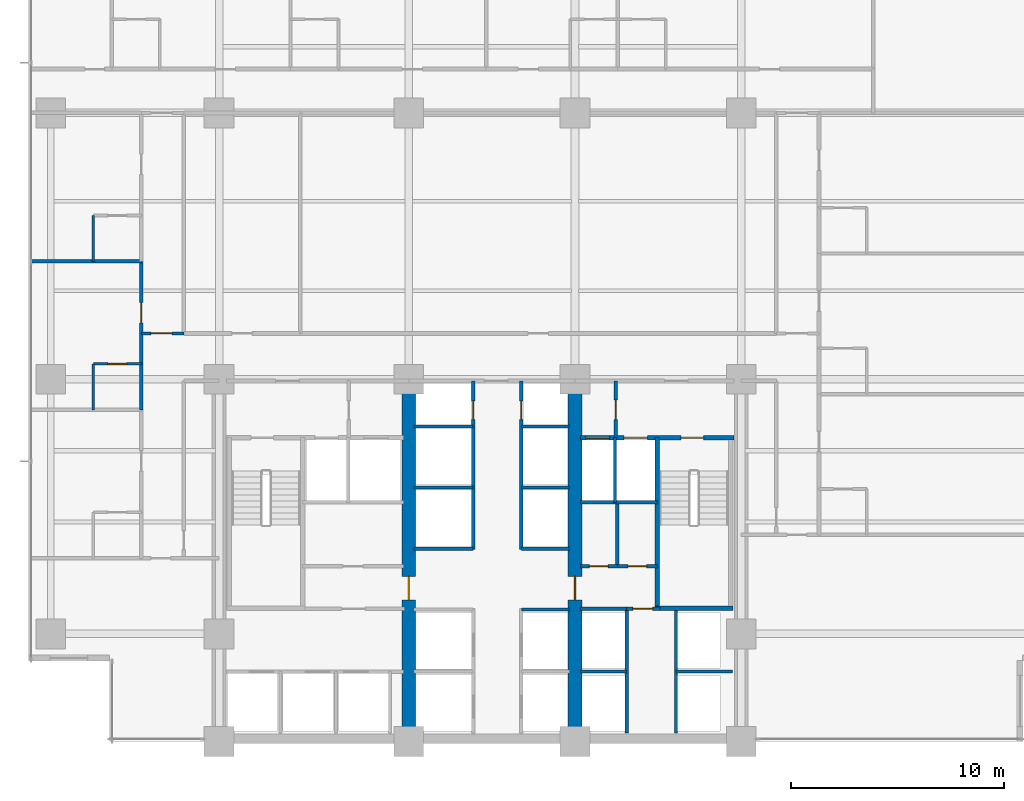
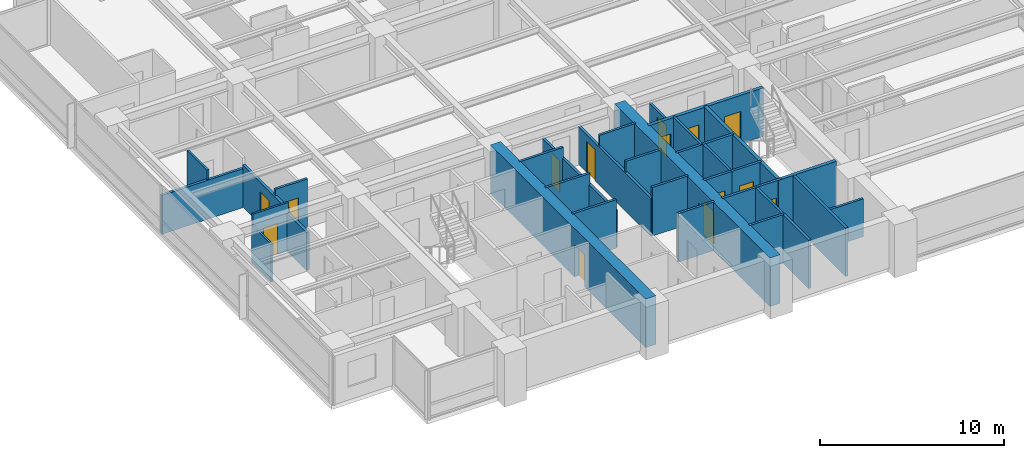
# One storey, part 8 of 16: 33 walls, 14 doors, 14 openings.
"""IFC4 building model written with IfcOpenShell, lengths in metres."""

import ifcopenshell
import ifcopenshell.guid

model = None  # the IFC model being written
_history = None  # IfcOwnerHistory: only IFC2X3 demands one
_inside = {}  # id of a spatial element -> (the spatial element, [elements in it])
_under = {}  # id of a project, library or spatial element -> (it, [spatial elements below it])
_declared = {}  # id of a project -> (the project, [libraries it declares])
_typed = {}  # id of a type object -> (the type object, [elements of that type])
_made_of = {}  # id of a material, layer set ... -> (it, [elements and type objects made of it])


def new_model(schema):
    """Start an empty IFC model of exactly this schema.

    Asked for "IFC4X3", IfcOpenShell would pick the latest addendum, in which some entities
    have other attributes; the version numbers below select the first issue.
    IFC2X3 requires an IfcOwnerHistory on every rooted entity: one is made here for all.
    """
    global model, _history
    if schema == "IFC4X3":
        model = ifcopenshell.file(schema_version=(4, 3, 0, 0))
    else:
        model = ifcopenshell.file(schema=schema)
    _inside.clear()
    _under.clear()
    _declared.clear()
    _typed.clear()
    _made_of.clear()
    _history = None
    if model.schema == "IFC2X3":
        org = make("IfcOrganization", Name="unknown")
        user = make(
            "IfcPersonAndOrganization",
            ThePerson=make("IfcPerson", FamilyName="unknown"),
            TheOrganization=org,
        )
        app = make(
            "IfcApplication",
            ApplicationDeveloper=org,
            Version="unknown",
            ApplicationFullName="unknown",
            ApplicationIdentifier="unknown",
        )
        _history = make(
            "IfcOwnerHistory",
            OwningUser=user,
            OwningApplication=app,
            ChangeAction="ADDED",
            CreationDate=0,
        )
    return model


def make(cls, **values):
    """One entity of the class cls with the attributes given. An attribute that is None is left unset."""
    return model.create_entity(
        cls, **{name: value for name, value in values.items() if value is not None}
    )


def rooted(cls, **values):
    """An entity with a GlobalId (a new one), such as an element, a storey or a relation."""
    return make(cls, GlobalId=ifcopenshell.guid.new(), OwnerHistory=_history, **values)


def si_unit(unit_type, name, prefix=None):
    """IfcSIUnit, for example si_unit("LENGTHUNIT", "METRE", prefix="MILLI")."""
    return make("IfcSIUnit", UnitType=unit_type, Prefix=prefix, Name=name)


def assignment(units):
    """IfcUnitAssignment: the units of a project."""
    return None if units is None else make("IfcUnitAssignment", Units=units)


def point(xyz):
    """IfcCartesianPoint."""
    return None if xyz is None else make("IfcCartesianPoint", Coordinates=xyz)


def direction(xyz):
    """IfcDirection."""
    return None if xyz is None else make("IfcDirection", DirectionRatios=xyz)


def frame(location, z_axis=None, x_axis=None):
    """IfcAxis2Placement3D, a coordinate frame: its origin and axes. An axis left out is left unset."""
    return make(
        "IfcAxis2Placement3D",
        Location=point(location),
        Axis=direction(z_axis),
        RefDirection=direction(x_axis),
    )


def frame_2d(location, x_axis=None):
    """IfcAxis2Placement2D, a coordinate frame in the plane: its origin and x axis."""
    return make(
        "IfcAxis2Placement2D", Location=point(location), RefDirection=direction(x_axis)
    )


def origin():
    """The frame at (0, 0, 0) with its axes left unset."""
    return frame((0.0, 0.0, 0.0))


def place(relative_to, where):
    """IfcLocalPlacement: puts the frame where relative to a parent placement (None: the world)."""
    return make(
        "IfcLocalPlacement", PlacementRelTo=relative_to, RelativePlacement=where
    )


def context(
    kind, dimensions, precision=None, world=None, true_north=None, identifier=None
):
    """IfcGeometricRepresentationContext, for example the 3D "Model" context."""
    return make(
        "IfcGeometricRepresentationContext",
        ContextIdentifier=identifier,
        ContextType=kind,
        CoordinateSpaceDimension=dimensions,
        Precision=precision,
        WorldCoordinateSystem=world,
        TrueNorth=true_north,
    )


def subcontext(parent, identifier, kind, view, scale=None):
    """IfcGeometricRepresentationSubContext, for example "Body" below "Model"."""
    return make(
        "IfcGeometricRepresentationSubContext",
        ContextIdentifier=identifier,
        ContextType=kind,
        ParentContext=parent,
        TargetScale=scale,
        TargetView=view,
    )


def project(units=None, contexts=None):
    """IfcProject with its units and contexts."""
    return rooted(
        "IfcProject",
        Name="project",
        RepresentationContexts=contexts,
        UnitsInContext=assignment(units),
    )


def spatial(cls, under=None, at=None, **own):
    """A site, building, storey or space (cls), placed at a placement, below another one or the project."""
    s = rooted(cls, ObjectPlacement=at, **own)
    if under is not None:
        _under.setdefault(under.id(), (under, []))[1].append(s)
    return s


def profile(cls, at=None, kind="AREA", **sizes):
    """A parametric profile (cls). Its sizes go by their IFC names, for example OverallWidth=200.0."""
    return make(cls, ProfileType=kind, Position=at, **sizes)


def rectangle(**sizes):
    """IfcRectangleProfileDef."""
    return profile("IfcRectangleProfileDef", **sizes)


def extrude(swept, where, along, depth):
    """IfcExtrudedAreaSolid: the profile swept, set in the frame where, extruded along a direction by depth."""
    return make(
        "IfcExtrudedAreaSolid",
        SweptArea=swept,
        Position=where,
        ExtrudedDirection=direction(along),
        Depth=depth,
    )


def shape(context_of_items, identifier, shape_type, items):
    """IfcShapeRepresentation: the items that make up one representation, for example the "Body"."""
    return make(
        "IfcShapeRepresentation",
        ContextOfItems=context_of_items,
        RepresentationIdentifier=identifier,
        RepresentationType=shape_type,
        Items=items,
    )


def material(Name=None, Category=None):
    """IfcMaterial."""
    return make("IfcMaterial", Name=Name, Category=Category)


def layer(
    of_material, thickness, ventilated=None, Name=None, Category=None, Priority=None
):
    """IfcMaterialLayer: one layer of a wall or slab, of a material (None: an air gap)."""
    return make(
        "IfcMaterialLayer",
        Material=of_material,
        LayerThickness=thickness,
        IsVentilated=ventilated,
        Name=Name,
        Category=Category,
        Priority=Priority,
    )


def layer_set(layers, Name=None):
    """IfcMaterialLayerSet."""
    return make("IfcMaterialLayerSet", MaterialLayers=layers, LayerSetName=Name)


def made_of(thing, what):
    """Note that an element or type object is made of a material, layer set ...; save() writes the relation."""
    if what is not None:
        _made_of.setdefault(what.id(), (what, []))[1].append(thing)
    return thing


def type_object(cls, material=None, **own):
    """A type object (cls), such as IfcWallType, which elements share."""
    return made_of(rooted(cls, **own), material)


def element(
    cls,
    number,
    at=None,
    inside=None,
    cuts=None,
    type_object=None,
    material=None,
    context=None,
    identifier="Body",
    shape_type=None,
    held_by="IfcProductDefinitionShape",
    body=None,
    shapes=None,
    **own,
):
    """One element of the class cls, such as IfcWall. Its Tag is "e" and its number.

    at: its placement. inside: the storey or other place that contains it. cuts: it is an
    opening in that element (IfcRelVoidsElement). A single representation is given by context,
    identifier, shape_type and body (its items); several are given by shapes. held_by: the class
    of the entity that holds the representations. save() writes the other relations.
    """
    e = rooted(cls, Tag="e%d" % number, ObjectPlacement=at, **own)
    if body is not None:
        shapes = [shape(context, identifier, shape_type, body)]
    if shapes is not None:
        e.Representation = make(held_by, Representations=shapes)
    if inside is not None:
        _inside.setdefault(inside.id(), (inside, []))[1].append(e)
    if cuts is not None:
        rooted(
            "IfcRelVoidsElement", RelatingBuildingElement=cuts, RelatedOpeningElement=e
        )
    if type_object is not None:
        _typed.setdefault(type_object.id(), (type_object, []))[1].append(e)
    return made_of(e, material)


def fill(opening, filler):
    """IfcRelFillsElement: the door or window that sits in an opening."""
    return rooted(
        "IfcRelFillsElement",
        RelatingOpeningElement=opening,
        RelatedBuildingElement=filler,
    )


def aggregate(whole, parts):
    """IfcRelAggregates: a whole, such as a stair, and the parts it consists of."""
    return rooted("IfcRelAggregates", RelatingObject=whole, RelatedObjects=parts)


def save(model, path):
    """Write the relations noted so far, then the file.

    IfcRelAggregates (storeys below a building ...), IfcRelContainedInSpatialStructure (elements
    in a storey), IfcRelDefinesByType, IfcRelAssociatesMaterial and IfcRelDeclares: one each for
    every whole, place, type object, material and project.
    """
    for whole, parts in _under.values():
        aggregate(whole, parts)
    for where, things in _inside.values():
        rooted(
            "IfcRelContainedInSpatialStructure",
            RelatedElements=things,
            RelatingStructure=where,
        )
    for kind, things in _typed.values():
        rooted("IfcRelDefinesByType", RelatedObjects=things, RelatingType=kind)
    for what, things in _made_of.values():
        rooted("IfcRelAssociatesMaterial", RelatedObjects=things, RelatingMaterial=what)
    for by, libraries in _declared.values():
        rooted("IfcRelDeclares", RelatingContext=by, RelatedDefinitions=libraries)
    model.write(path)


model = new_model("IFC4")

# Units and contexts
model_context = context("Model", 3, precision=1e-05, world=origin(), true_north=direction((0.0, 1.0)))
body_context = subcontext(model_context, "Body", "Model", "MODEL_VIEW")
ifc_project = project(units=[si_unit("LENGTHUNIT", "METRE"), si_unit("AREAUNIT", "SQUARE_METRE"), si_unit("VOLUMEUNIT", "CUBIC_METRE"), si_unit("PLANEANGLEUNIT", "RADIAN"), si_unit("MASSUNIT", "GRAM", prefix="KILO")], contexts=[model_context])

# Site, building, storey
site_placement = place(None, origin())
site = spatial("IfcSite", under=ifc_project, at=site_placement, CompositionType="ELEMENT")
building_placement = place(site_placement, origin())
building = spatial("IfcBuilding", under=site, at=building_placement, Name="Qalmaran Belvedere Hotel", CompositionType="ELEMENT")
storey_placement = place(building_placement, frame((0.0, 0.0, 64.89990234375)))
storey = spatial("IfcBuildingStorey", under=building, at=storey_placement, Name="L16", CompositionType="ELEMENT", Elevation=64.89990234375)

# Wall, opening, door
ifc_material_1 = material(Name="Concrete C60/75", Category="concrete")
ifc_layer_1 = layer(ifc_material_1, 0.64990234375, Name="Concrete C60/75")
ifc_layer_set_1 = layer_set([ifc_layer_1], Name="Concrete C60/75")
wall_type_1 = type_object("IfcWallType", Name="WL-CORE-650-C60", PredefinedType="SHEAR", material=ifc_layer_set_1)
wall_1_placement = place(storey_placement, frame((29.199951171875, 3.5, 0.0), z_axis=(0.0, 0.0, 1.0), x_axis=(0.0, 1.0, 0.0)))
wall_1 = element("IfcWall", 1, at=wall_1_placement, inside=storey, type_object=wall_type_1, Name="L16 Core West Spine Shear Wall", PredefinedType="SHEAR", context=body_context, shape_type="SweptSolid", body=[
    extrude(rectangle(XDim=16.89990234375, YDim=0.64990234375, at=frame_2d((8.449951171875, 0.0))), origin(), (0.0, 0.0, 1.0), 3.22021484375),
])
opening_1_placement = place(wall_1_placement, frame((7.75, 0.0, 0.0), z_axis=(0.0, 0.0, 1.0), x_axis=(-1.0, 0.0, 0.0)))
opening_1 = element("IfcOpeningElement", 2, at=opening_1_placement, cuts=wall_1, Name="Opening FD90", PredefinedType="OPENING", context=body_context, shape_type="SweptSolid", body=[
    extrude(rectangle(XDim=1.10009765625, YDim=2.14990234375, at=frame_2d((0.550048828125, 1.074951171875))), frame((0.0, 0.3349609375, 0.0), z_axis=(0.0, -1.0, 0.0), x_axis=(1.0, 0.0, 0.0)), (0.0, 0.0, 1.0), 0.669921875),
])
ifc_material_2 = material(Name="Steel S355JR", Category="steel")
door_type_1 = type_object("IfcDoorType", Name="DR-FD90-1100X2150", OperationType="NOTDEFINED", PredefinedType="DOOR", material=ifc_material_2)
door_1_placement = place(opening_1_placement, origin())
door_1 = element("IfcDoor", 3, at=door_1_placement, inside=storey, type_object=door_type_1, Name="L16 Core West Cross-Lobby Door", OperationType="SINGLE_SWING_RIGHT", OverallHeight=2.14990234375, OverallWidth=1.10009765625, PredefinedType="DOOR", context=body_context, shape_type="SweptSolid", body=[
    extrude(rectangle(XDim=1.10009765625, YDim=2.14990234375, at=frame_2d((0.550048828125, 1.074951171875))), frame((0.0, 0.02490234375, 0.0), z_axis=(0.0, -1.0, 0.0), x_axis=(1.0, 0.0, 0.0)), (0.0, 0.0, 1.0), 0.050048828125),
])
fill(opening_1, door_1)

wall_2_placement = place(storey_placement, frame((37.0, 3.5, 0.0), z_axis=(0.0, 0.0, 1.0), x_axis=(0.0, 1.0, 0.0)))
wall_2 = element("IfcWall", 4, at=wall_2_placement, inside=storey, type_object=wall_type_1, Name="L16 Core East Spine Shear Wall", PredefinedType="SHEAR", context=body_context, shape_type="SweptSolid", body=[
    extrude(rectangle(XDim=16.89990234375, YDim=0.64990234375, at=frame_2d((8.449951171875, 0.0))), origin(), (0.0, 0.0, 1.0), 3.22021484375),
])
opening_2_placement = place(wall_2_placement, frame((6.64990234375, 0.0, 0.0)))
opening_2 = element("IfcOpeningElement", 5, at=opening_2_placement, cuts=wall_2, Name="Opening FD90", PredefinedType="OPENING", context=body_context, shape_type="SweptSolid", body=[
    extrude(rectangle(XDim=1.10009765625, YDim=2.14990234375, at=frame_2d((0.550048828125, 1.074951171875))), frame((0.0, 0.3349609375, 0.0), z_axis=(0.0, -1.0, 0.0), x_axis=(1.0, 0.0, 0.0)), (0.0, 0.0, 1.0), 0.669921875),
])
door_2_placement = place(opening_2_placement, origin())
door_2 = element("IfcDoor", 6, at=door_2_placement, inside=storey, type_object=door_type_1, Name="L16 Core East Cross-Lobby Door", OperationType="SINGLE_SWING_LEFT", OverallHeight=2.14990234375, OverallWidth=1.10009765625, PredefinedType="DOOR", context=body_context, shape_type="SweptSolid", body=[
    extrude(rectangle(XDim=1.10009765625, YDim=2.14990234375, at=frame_2d((0.550048828125, 1.074951171875))), frame((0.0, 0.02490234375, 0.0), z_axis=(0.0, -1.0, 0.0), x_axis=(1.0, 0.0, 0.0)), (0.0, 0.0, 1.0), 0.050048828125),
])
fill(opening_2, door_2)

ifc_material_3 = material(Name="Moisture-Resistant Gypsum")
ifc_layer_2 = layer(ifc_material_3, 0.1201171875, Name="Moisture-Resistant Gypsum")
ifc_layer_set_2 = layer_set([ifc_layer_2], Name="Moisture-Resistant Gypsum")
wall_type_2 = type_object("IfcWallType", Name="WL-INT-120-BATH", PredefinedType="PARTITIONING", material=ifc_layer_set_2)
wall_3_placement = place(storey_placement, frame((14.39990234375, 21.216796875, 0.0), z_axis=(0.0, 0.0, 1.0), x_axis=(1.0, 0.0, 0.0)))
wall_3 = element("IfcWall", 7, at=wall_3_placement, inside=storey, type_object=wall_type_2, Name="L16 Partition WL-L16-WBN01", PredefinedType="PARTITIONING", context=body_context, shape_type="SweptSolid", body=[
    extrude(rectangle(XDim=2.25, YDim=0.1201171875, at=frame_2d((1.125, 0.0))), origin(), (0.0, 0.0, 1.0), 3.22021484375),
])
opening_3_placement = place(wall_3_placement, frame((1.56494140625, 0.0, 0.0), z_axis=(0.0, 0.0, 1.0), x_axis=(-1.0, 0.0, 0.0)))
opening_3 = element("IfcOpeningElement", 8, at=opening_3_placement, cuts=wall_3, Name="Opening D-BATH", PredefinedType="OPENING", context=body_context, shape_type="SweptSolid", body=[
    extrude(rectangle(XDim=0.8798828125, YDim=2.080078125, at=frame_2d((0.43994140625, 1.0400390625))), frame((0.0, 0.070068359375, 0.0), z_axis=(0.0, -1.0, 0.0), x_axis=(1.0, 0.0, 0.0)), (0.0, 0.0, 1.0), 0.14013671875),
])
ifc_material_4 = material(Name="Engineered Oak Veneer")
door_type_2 = type_object("IfcDoorType", Name="DR-INT-BATH-880X2080", OperationType="NOTDEFINED", PredefinedType="DOOR", material=ifc_material_4)
door_3_placement = place(opening_3_placement, origin())
door_3 = element("IfcDoor", 9, at=door_3_placement, inside=storey, type_object=door_type_2, Name="L16 W Ensuite Door 02", OperationType="SINGLE_SWING_RIGHT", OverallHeight=2.080078125, OverallWidth=0.8798828125, PredefinedType="DOOR", context=body_context, shape_type="SweptSolid", body=[
    extrude(rectangle(XDim=0.8798828125, YDim=2.080078125, at=frame_2d((0.43994140625, 1.0400390625))), frame((0.0, 0.02490234375, 0.0), z_axis=(0.0, -1.0, 0.0), x_axis=(1.0, 0.0, 0.0)), (0.0, 0.0, 1.0), 0.050048828125),
])
fill(opening_3, door_3)

# Walls
wall_4_placement = place(storey_placement, frame((14.39990234375, 19.066650390625, 0.0), z_axis=(0.0, 0.0, 1.0), x_axis=(0.0, 1.0, 0.0)))
element("IfcWall", 10, at=wall_4_placement, inside=storey, type_object=wall_type_2, Name="L16 Partition WL-L16-WBS01", PredefinedType="PARTITIONING", context=body_context, shape_type="SweptSolid", body=[
    extrude(rectangle(XDim=2.150146484375, YDim=0.1201171875, at=frame_2d((1.0751953125, 0.0))), origin(), (0.0, 0.0, 1.0), 2.510009765625),
])
wall_5_placement = place(storey_placement, frame((14.39990234375, 26.033203125, 0.0), z_axis=(0.0, 0.0, 1.0), x_axis=(0.0, 1.0, 0.0)))
element("IfcWall", 11, at=wall_5_placement, inside=storey, type_object=wall_type_2, Name="L16 Partition WL-L16-WBS02", PredefinedType="PARTITIONING", context=body_context, shape_type="SweptSolid", body=[
    extrude(rectangle(XDim=2.150146484375, YDim=0.1201171875, at=frame_2d((1.0751953125, 0.0))), origin(), (0.0, 0.0, 1.0), 3.22021484375),
])
ifc_material_5 = material(Name="Gypsum Stud Partition")
ifc_layer_3 = layer(ifc_material_5, 0.14990234375, Name="Gypsum Stud Partition")
ifc_layer_set_3 = layer_set([ifc_layer_3], Name="Gypsum Stud Partition")
wall_type_3 = type_object("IfcWallType", Name="WL-INT-150-EI120", PredefinedType="PARTITIONING", material=ifc_layer_set_3)
wall_6_placement = place(storey_placement, frame((38.8798828125, 14.719970703125, 0.0), z_axis=(0.0, 0.0, 1.0), x_axis=(0.0, 1.0, 0.0)))
element("IfcWall", 12, at=wall_6_placement, inside=storey, type_object=wall_type_3, Name="L16 Partition WL-FF2M-L16", PredefinedType="PARTITIONING", context=body_context, shape_type="SweptSolid", body=[
    extrude(rectangle(XDim=3.0400390625, YDim=0.14990234375, at=frame_2d((1.52001953125, 0.0))), origin(), (0.0, 0.0, 1.0), 3.22021484375),
])
wall_7_placement = place(storey_placement, frame((37.25, 6.780029296875, 0.0), z_axis=(0.0, 0.0, 1.0), x_axis=(1.0, 0.0, 0.0)))
element("IfcWall", 13, at=wall_7_placement, inside=storey, type_object=wall_type_3, Name="L16 Partition WL-PHMW-L16", PredefinedType="PARTITIONING", context=body_context, shape_type="SweptSolid", body=[
    extrude(rectangle(XDim=2.169921875, YDim=0.14990234375, at=frame_2d((1.0849609375, 0.0))), origin(), (0.0, 0.0, 1.0), 3.22021484375),
])
wall_8_placement = place(storey_placement, frame((41.739990234375, 6.780029296875, 0.0), z_axis=(0.0, 0.0, 1.0), x_axis=(1.0, 0.0, 0.0)))
element("IfcWall", 14, at=wall_8_placement, inside=storey, type_object=wall_type_3, Name="L16 Partition WL-PHME-L16", PredefinedType="PARTITIONING", context=body_context, shape_type="SweptSolid", body=[
    extrude(rectangle(XDim=2.659912109375, YDim=0.14990234375, at=frame_2d((1.330078125, 0.0))), origin(), (0.0, 0.0, 1.0), 2.510009765625),
])
wall_9_placement = place(storey_placement, frame((34.47998046875, 9.699951171875, 0.0), z_axis=(0.0, 0.0, 1.0), x_axis=(1.0, 0.0, 0.0)))
element("IfcWall", 15, at=wall_9_placement, inside=storey, type_object=wall_type_3, Name="L16 Partition WL-PLE-L16-97", PredefinedType="PARTITIONING", context=body_context, shape_type="SweptSolid", body=[
    extrude(rectangle(XDim=2.27001953125, YDim=0.14990234375, at=frame_2d((1.135009765625, 0.0))), origin(), (0.0, 0.0, 1.0), 3.22021484375),
])
wall_10_placement = place(storey_placement, frame((29.449951171875, 12.550048828125, 0.0), z_axis=(0.0, 0.0, 1.0), x_axis=(1.0, 0.0, 0.0)))
element("IfcWall", 16, at=wall_10_placement, inside=storey, type_object=wall_type_3, Name="L16 Partition WL-PMW-L16-125", PredefinedType="PARTITIONING", context=body_context, shape_type="SweptSolid", body=[
    extrude(rectangle(XDim=2.77001953125, YDim=0.14990234375, at=frame_2d((1.385009765625, 0.0))), origin(), (0.0, 0.0, 1.0), 3.22021484375),
])
wall_11_placement = place(storey_placement, frame((34.47998046875, 12.550048828125, 0.0), z_axis=(0.0, 0.0, 1.0), x_axis=(1.0, 0.0, 0.0)))
element("IfcWall", 17, at=wall_11_placement, inside=storey, type_object=wall_type_3, Name="L16 Partition WL-PME-L16-125", PredefinedType="PARTITIONING", context=body_context, shape_type="SweptSolid", body=[
    extrude(rectangle(XDim=2.27001953125, YDim=0.14990234375, at=frame_2d((1.135009765625, 0.0))), origin(), (0.0, 0.0, 1.0), 3.22021484375),
])
wall_12_placement = place(storey_placement, frame((29.449951171875, 15.419921875, 0.0), z_axis=(0.0, 0.0, 1.0), x_axis=(1.0, 0.0, 0.0)))
element("IfcWall", 18, at=wall_12_placement, inside=storey, type_object=wall_type_3, Name="L16 Partition WL-PMW-L16-154", PredefinedType="PARTITIONING", context=body_context, shape_type="SweptSolid", body=[
    extrude(rectangle(XDim=2.77001953125, YDim=0.14990234375, at=frame_2d((1.385009765625, 0.0))), origin(), (0.0, 0.0, 1.0), 3.22021484375),
])
wall_13_placement = place(storey_placement, frame((34.47998046875, 15.419921875, 0.0), z_axis=(0.0, 0.0, 1.0), x_axis=(1.0, 0.0, 0.0)))
element("IfcWall", 19, at=wall_13_placement, inside=storey, type_object=wall_type_3, Name="L16 Partition WL-PME-L16-154", PredefinedType="PARTITIONING", context=body_context, shape_type="SweptSolid", body=[
    extrude(rectangle(XDim=2.27001953125, YDim=0.14990234375, at=frame_2d((1.135009765625, 0.0))), origin(), (0.0, 0.0, 1.0), 3.22021484375),
])
wall_14_placement = place(storey_placement, frame((29.449951171875, 18.280029296875, 0.0), z_axis=(0.0, 0.0, 1.0), x_axis=(1.0, 0.0, 0.0)))
element("IfcWall", 20, at=wall_14_placement, inside=storey, type_object=wall_type_3, Name="L16 Partition WL-PMW-L16-182", PredefinedType="PARTITIONING", context=body_context, shape_type="SweptSolid", body=[
    extrude(rectangle(XDim=2.77001953125, YDim=0.14990234375, at=frame_2d((1.385009765625, 0.0))), origin(), (0.0, 0.0, 1.0), 3.22021484375),
])
wall_15_placement = place(storey_placement, frame((34.47998046875, 18.280029296875, 0.0), z_axis=(0.0, 0.0, 1.0), x_axis=(1.0, 0.0, 0.0)))
element("IfcWall", 21, at=wall_15_placement, inside=storey, type_object=wall_type_3, Name="L16 Partition WL-PME-L16-182", PredefinedType="PARTITIONING", context=body_context, shape_type="SweptSolid", body=[
    extrude(rectangle(XDim=2.27001953125, YDim=0.14990234375, at=frame_2d((1.135009765625, 0.0))), origin(), (0.0, 0.0, 1.0), 3.22021484375),
])
ifc_layer_4 = layer(ifc_material_5, 0.14990234375, Name="Gypsum Stud Partition")
ifc_layer_set_4 = layer_set([ifc_layer_4], Name="Gypsum Stud Partition")
wall_type_4 = type_object("IfcWallType", Name="WL-INT-150-EI60", PredefinedType="PARTITIONING", material=ifc_layer_set_4)
wall_16_placement = place(storey_placement, frame((38.98291015625, 11.719970703125, 0.0), z_axis=(0.0, 0.0, 1.0), x_axis=(0.0, 1.0, 0.0)))
element("IfcWall", 22, at=wall_16_placement, inside=storey, type_object=wall_type_4, Name="L16 Partition WL-L16-KEV1", PredefinedType="PARTITIONING", context=body_context, shape_type="SweptSolid", body=[
    extrude(rectangle(XDim=2.929931640625, YDim=0.14990234375, at=frame_2d((1.46484375, 0.0))), origin(), (0.0, 0.0, 1.0), 3.22021484375),
])

# Wall, opening, door
wall_17_placement = place(storey_placement, frame((16.64990234375, 22.64990234375, 0.0), z_axis=(0.0, 0.0, 1.0), x_axis=(1.0, 0.0, 0.0)))
wall_17 = element("IfcWall", 23, at=wall_17_placement, inside=storey, type_object=wall_type_4, Name="L16 Partition WL-L16-XCW1", PredefinedType="PARTITIONING", context=body_context, shape_type="SweptSolid", body=[
    extrude(rectangle(XDim=2.0, YDim=0.14990234375, at=frame_2d((1.0, 0.0))), origin(), (0.0, 0.0, 1.0), 3.22021484375),
])
opening_4_placement = place(wall_17_placement, frame((0.449951171875, 0.0, 0.0)))
opening_4 = element("IfcOpeningElement", 24, at=opening_4_placement, cuts=wall_17, Name="Opening FD90B", PredefinedType="OPENING", context=body_context, shape_type="SweptSolid", body=[
    extrude(rectangle(XDim=1.0, YDim=2.14990234375, at=frame_2d((0.5, 1.074951171875))), frame((0.0, 0.0849609375, 0.0), z_axis=(0.0, -1.0, 0.0), x_axis=(1.0, 0.0, 0.0)), (0.0, 0.0, 1.0), 0.169921875),
])
door_type_3 = type_object("IfcDoorType", Name="DR-FD90B-1000X2150", OperationType="NOTDEFINED", PredefinedType="DOOR", material=ifc_material_2)
door_4_placement = place(opening_4_placement, origin())
door_4 = element("IfcDoor", 25, at=door_4_placement, inside=storey, type_object=door_type_3, Name="L16 West Corridor Smoke Door S", OperationType="SINGLE_SWING_RIGHT", OverallHeight=2.14990234375, OverallWidth=1.0, PredefinedType="DOOR", context=body_context, shape_type="SweptSolid", body=[
    extrude(rectangle(XDim=1.0, YDim=2.14990234375, at=frame_2d((0.5, 1.074951171875))), frame((0.0, 0.02490234375, 0.0), z_axis=(0.0, -1.0, 0.0), x_axis=(1.0, 0.0, 0.0)), (0.0, 0.0, 1.0), 0.050048828125),
])
fill(opening_4, door_4)

ifc_layer_5 = layer(ifc_material_5, 0.159912109375, Name="Gypsum Stud Partition")
ifc_layer_set_5 = layer_set([ifc_layer_5], Name="Gypsum Stud Partition")
wall_type_5 = type_object("IfcWallType", Name="WL-INT-160-EI120", PredefinedType="PARTITIONING", material=ifc_layer_set_5)
wall_18_placement = place(storey_placement, frame((38.919921875, 17.760009765625, 0.0), z_axis=(0.0, 0.0, 1.0), x_axis=(0.0, 1.0, 0.0)))
wall_18 = element("IfcWall", 26, at=wall_18_placement, inside=storey, type_object=wall_type_5, Name="L16 Partition WL-FFSV2-L16", PredefinedType="PARTITIONING", context=body_context, shape_type="SweptSolid", body=[
    extrude(rectangle(XDim=2.659912109375, YDim=0.159912109375, at=frame_2d((1.330078125, 0.0))), origin(), (0.0, 0.0, 1.0), 2.510009765625),
])
opening_5_placement = place(wall_18_placement, frame((1.77001953125, 0.0, 0.0), z_axis=(0.0, 0.0, 1.0), x_axis=(-1.0, 0.0, 0.0)))
opening_5 = element("IfcOpeningElement", 27, at=opening_5_placement, cuts=wall_18, Name="Opening FD60S1", PredefinedType="OPENING", context=body_context, shape_type="SweptSolid", body=[
    extrude(rectangle(XDim=0.919921875, YDim=2.080078125, at=frame_2d((0.4599609375, 1.0400390625))), frame((0.0, 0.08984375, 0.0), z_axis=(0.0, -1.0, 0.0), x_axis=(1.0, 0.0, 0.0)), (0.0, 0.0, 1.0), 0.179931640625),
])
door_type_4 = type_object("IfcDoorType", Name="DR-FD60S-920X2080", OperationType="NOTDEFINED", PredefinedType="DOOR", material=ifc_material_4)
door_5_placement = place(opening_5_placement, origin())
door_5 = element("IfcDoor", 28, at=door_5_placement, inside=storey, type_object=door_type_4, Name="L16 Service Lobby East Door", OperationType="SINGLE_SWING_LEFT", OverallHeight=2.080078125, OverallWidth=0.919921875, PredefinedType="DOOR", context=body_context, shape_type="SweptSolid", body=[
    extrude(rectangle(XDim=0.919921875, YDim=2.080078125, at=frame_2d((0.4599609375, 1.0400390625))), frame((0.0, 0.02490234375, 0.0), z_axis=(0.0, -1.0, 0.0), x_axis=(1.0, 0.0, 0.0)), (0.0, 0.0, 1.0), 0.050048828125),
])
fill(opening_5, door_5)

# Walls
wall_19_placement = place(storey_placement, frame((37.25, 14.719970703125, 0.0), z_axis=(0.0, 0.0, 1.0), x_axis=(1.0, 0.0, 0.0)))
element("IfcWall", 29, at=wall_19_placement, inside=storey, type_object=wall_type_5, Name="L16 Partition WL-FF2S-L16", PredefinedType="PARTITIONING", context=body_context, shape_type="SweptSolid", body=[
    extrude(rectangle(XDim=3.610107421875, YDim=0.159912109375, at=frame_2d((1.80517578125, 0.0))), origin(), (0.0, 0.0, 1.0), 3.22021484375),
])
for number, where, z_axis, x_axis, name in (
    (30, (39.419921875, 3.89990234375, 0.0), (0.0, 0.0, 1.0), (0.0, 1.0, 0.0), "L16 Partition WL-PHW-L16"),
    (31, (41.739990234375, 3.89990234375, 0.0), (0.0, 0.0, 1.0), (0.0, 1.0, 0.0), "L16 Partition WL-PHE-L16"),
):
    element("IfcWall", number, at=place(storey_placement, frame(where, z_axis=z_axis, x_axis=x_axis)), inside=storey, type_object=wall_type_5, Name=name, PredefinedType="PARTITIONING", context=body_context, shape_type="SweptSolid", body=[
        extrude(rectangle(XDim=5.840087890625, YDim=0.159912109375, at=frame_2d((2.919921875, 0.0))), origin(), (0.0, 0.0, 1.0), 3.22021484375),
    ])
wall_20_placement = place(storey_placement, frame((37.25, 9.739990234375, 0.0), z_axis=(0.0, 0.0, 1.0), x_axis=(1.0, 0.0, 0.0)))
element("IfcWall", 32, at=wall_20_placement, inside=storey, type_object=wall_type_5, Name="L16 Partition WL-PHNW-L16", PredefinedType="PARTITIONING", context=body_context, shape_type="SweptSolid", body=[
    extrude(rectangle(XDim=2.169921875, YDim=0.159912109375, at=frame_2d((1.0849609375, 0.0))), origin(), (0.0, 0.0, 1.0), 3.22021484375),
])

# Wall, opening, door
wall_21_placement = place(storey_placement, frame((39.419921875, 9.739990234375, 0.0), z_axis=(0.0, 0.0, 1.0), x_axis=(1.0, 0.0, 0.0)))
wall_21 = element("IfcWall", 33, at=wall_21_placement, inside=storey, type_object=wall_type_5, Name="L16 Partition WL-PHNL-L16", PredefinedType="PARTITIONING", context=body_context, shape_type="SweptSolid", body=[
    extrude(rectangle(XDim=1.56005859375, YDim=0.159912109375, at=frame_2d((0.780029296875, 0.0))), origin(), (0.0, 0.0, 1.0), 3.22021484375),
])
opening_6_placement = place(wall_21_placement, frame((0.300048828125, 0.0, 0.0)))
opening_6 = element("IfcOpeningElement", 34, at=opening_6_placement, cuts=wall_21, Name="Opening FD60S1", PredefinedType="OPENING", context=body_context, shape_type="SweptSolid", body=[
    extrude(rectangle(XDim=0.919921875, YDim=2.080078125, at=frame_2d((0.4599609375, 1.0400390625))), frame((0.0, 0.08984375, 0.0), z_axis=(0.0, -1.0, 0.0), x_axis=(1.0, 0.0, 0.0)), (0.0, 0.0, 1.0), 0.179931640625),
])
door_6_placement = place(opening_6_placement, origin())
door_6 = element("IfcDoor", 35, at=door_6_placement, inside=storey, type_object=door_type_4, Name="L16 High-Rise Lift Lobby Passage Door", OperationType="SINGLE_SWING_LEFT", OverallHeight=2.080078125, OverallWidth=0.919921875, PredefinedType="DOOR", context=body_context, shape_type="SweptSolid", body=[
    extrude(rectangle(XDim=0.919921875, YDim=2.080078125, at=frame_2d((0.4599609375, 1.0400390625))), frame((0.0, 0.02490234375, 0.0), z_axis=(0.0, -1.0, 0.0), x_axis=(1.0, 0.0, 0.0)), (0.0, 0.0, 1.0), 0.050048828125),
])
fill(opening_6, door_6)

wall_22_placement = place(storey_placement, frame((32.219970703125, 12.5, 0.0), z_axis=(0.0, 0.0, 1.0), x_axis=(0.0, 1.0, 0.0)))
wall_22 = element("IfcWall", 36, at=wall_22_placement, inside=storey, type_object=wall_type_5, Name="L16 Partition WL-CLBWN-L16", PredefinedType="PARTITIONING", context=body_context, shape_type="SweptSolid", body=[
    extrude(rectangle(XDim=7.919921875, YDim=0.159912109375, at=frame_2d((3.9599609375, 0.0))), origin(), (0.0, 0.0, 1.0), 2.510009765625),
])
opening_7_placement = place(wall_22_placement, frame((6.10009765625, 0.0, 0.0)))
opening_7 = element("IfcOpeningElement", 37, at=opening_7_placement, cuts=wall_22, Name="Opening FD60B", PredefinedType="OPENING", context=body_context, shape_type="SweptSolid", body=[
    extrude(rectangle(XDim=0.8798828125, YDim=2.080078125, at=frame_2d((0.43994140625, 1.0400390625))), frame((0.0, 0.08984375, 0.0), z_axis=(0.0, -1.0, 0.0), x_axis=(1.0, 0.0, 0.0)), (0.0, 0.0, 1.0), 0.179931640625),
])
door_type_5 = type_object("IfcDoorType", Name="DR-FD60B-880X2080", OperationType="NOTDEFINED", PredefinedType="DOOR", material=ifc_material_2)
door_7_placement = place(opening_7_placement, origin())
door_7 = element("IfcDoor", 38, at=door_7_placement, inside=storey, type_object=door_type_5, Name="L16 West Riser Access Door", OperationType="SINGLE_SWING_RIGHT", OverallHeight=2.080078125, OverallWidth=0.8798828125, PredefinedType="DOOR", context=body_context, shape_type="SweptSolid", body=[
    extrude(rectangle(XDim=0.8798828125, YDim=2.080078125, at=frame_2d((0.43994140625, 1.0400390625))), frame((0.0, 0.02490234375, 0.0), z_axis=(0.0, -1.0, 0.0), x_axis=(1.0, 0.0, 0.0)), (0.0, 0.0, 1.0), 0.050048828125),
])
fill(opening_7, door_7)

wall_23_placement = place(storey_placement, frame((34.47998046875, 12.5, 0.0), z_axis=(0.0, 0.0, 1.0), x_axis=(0.0, 1.0, 0.0)))
wall_23 = element("IfcWall", 39, at=wall_23_placement, inside=storey, type_object=wall_type_5, Name="L16 Partition WL-CLBEN-L16", PredefinedType="PARTITIONING", context=body_context, shape_type="SweptSolid", body=[
    extrude(rectangle(XDim=7.919921875, YDim=0.159912109375, at=frame_2d((3.9599609375, 0.0))), origin(), (0.0, 0.0, 1.0), 2.510009765625),
])
opening_8_placement = place(wall_23_placement, frame((6.97998046875, 0.0, 0.0), z_axis=(0.0, 0.0, 1.0), x_axis=(-1.0, 0.0, 0.0)))
opening_8 = element("IfcOpeningElement", 40, at=opening_8_placement, cuts=wall_23, Name="Opening FD60B", PredefinedType="OPENING", context=body_context, shape_type="SweptSolid", body=[
    extrude(rectangle(XDim=0.8798828125, YDim=2.080078125, at=frame_2d((0.43994140625, 1.0400390625))), frame((0.0, 0.08984375, 0.0), z_axis=(0.0, -1.0, 0.0), x_axis=(1.0, 0.0, 0.0)), (0.0, 0.0, 1.0), 0.179931640625),
])
door_8_placement = place(opening_8_placement, origin())
door_8 = element("IfcDoor", 41, at=door_8_placement, inside=storey, type_object=door_type_5, Name="L16 East Riser Access Door", OperationType="SINGLE_SWING_LEFT", OverallHeight=2.080078125, OverallWidth=0.8798828125, PredefinedType="DOOR", context=body_context, shape_type="SweptSolid", body=[
    extrude(rectangle(XDim=0.8798828125, YDim=2.080078125, at=frame_2d((0.43994140625, 1.0400390625))), frame((0.0, 0.02490234375, 0.0), z_axis=(0.0, -1.0, 0.0), x_axis=(1.0, 0.0, 0.0)), (0.0, 0.0, 1.0), 0.050048828125),
])
fill(opening_8, door_8)

ifc_layer_6 = layer(ifc_material_5, 0.159912109375, Name="Gypsum Stud Partition")
ifc_layer_set_6 = layer_set([ifc_layer_6], Name="Gypsum Stud Partition")
wall_type_6 = type_object("IfcWallType", Name="WL-INT-160-EI60", PredefinedType="PARTITIONING", material=ifc_layer_set_6)
wall_24_placement = place(storey_placement, frame((37.25, 11.719970703125, 0.0), z_axis=(0.0, 0.0, 1.0), x_axis=(1.0, 0.0, 0.0)))
wall_24 = element("IfcWall", 42, at=wall_24_placement, inside=storey, type_object=wall_type_6, Name="L16 Partition WL-L16-KEE1", PredefinedType="PARTITIONING", context=body_context, shape_type="SweptSolid", body=[
    extrude(rectangle(XDim=1.73291015625, YDim=0.159912109375, at=frame_2d((0.866455078125, 0.0))), origin(), (0.0, 0.0, 1.0), 3.22021484375),
])
opening_9_placement = place(wall_24_placement, frame((0.426513671875, 0.0, 0.0)))
opening_9 = element("IfcOpeningElement", 43, at=opening_9_placement, cuts=wall_24, Name="Opening FD60B", PredefinedType="OPENING", context=body_context, shape_type="SweptSolid", body=[
    extrude(rectangle(XDim=0.8798828125, YDim=2.080078125, at=frame_2d((0.43994140625, 1.0400390625))), frame((0.0, 0.08984375, 0.0), z_axis=(0.0, -1.0, 0.0), x_axis=(1.0, 0.0, 0.0)), (0.0, 0.0, 1.0), 0.179931640625),
])
door_9_placement = place(opening_9_placement, origin())
door_9 = element("IfcDoor", 44, at=door_9_placement, inside=storey, type_object=door_type_5, Name="L16 Cleaner Equipment Store Door", OperationType="SINGLE_SWING_RIGHT", OverallHeight=2.080078125, OverallWidth=0.8798828125, PredefinedType="DOOR", context=body_context, shape_type="SweptSolid", body=[
    extrude(rectangle(XDim=0.8798828125, YDim=2.080078125, at=frame_2d((0.43994140625, 1.0400390625))), frame((0.0, 0.02490234375, 0.0), z_axis=(0.0, -1.0, 0.0), x_axis=(1.0, 0.0, 0.0)), (0.0, 0.0, 1.0), 0.050048828125),
])
fill(opening_9, door_9)

wall_25_placement = place(storey_placement, frame((38.98291015625, 11.719970703125, 0.0), z_axis=(0.0, 0.0, 1.0), x_axis=(1.0, 0.0, 0.0)))
wall_25 = element("IfcWall", 45, at=wall_25_placement, inside=storey, type_object=wall_type_6, Name="L16 Partition WL-L16-KEE2", PredefinedType="PARTITIONING", context=body_context, shape_type="SweptSolid", body=[
    extrude(rectangle(XDim=1.877197265625, YDim=0.159912109375, at=frame_2d((0.9384765625, 0.0))), origin(), (0.0, 0.0, 1.0), 3.22021484375),
])
opening_10_placement = place(wall_25_placement, frame((0.49853515625, 0.0, 0.0)))
opening_10 = element("IfcOpeningElement", 46, at=opening_10_placement, cuts=wall_25, Name="Opening FD60B", PredefinedType="OPENING", context=body_context, shape_type="SweptSolid", body=[
    extrude(rectangle(XDim=0.8798828125, YDim=2.080078125, at=frame_2d((0.43994140625, 1.0400390625))), frame((0.0, 0.08984375, 0.0), z_axis=(0.0, -1.0, 0.0), x_axis=(1.0, 0.0, 0.0)), (0.0, 0.0, 1.0), 0.179931640625),
])
door_10_placement = place(opening_10_placement, origin())
door_10 = element("IfcDoor", 47, at=door_10_placement, inside=storey, type_object=door_type_5, Name="L16 Low Voltage Switch Room Door", OperationType="SINGLE_SWING_LEFT", OverallHeight=2.080078125, OverallWidth=0.8798828125, PredefinedType="DOOR", context=body_context, shape_type="SweptSolid", body=[
    extrude(rectangle(XDim=0.8798828125, YDim=2.080078125, at=frame_2d((0.43994140625, 1.0400390625))), frame((0.0, 0.02490234375, 0.0), z_axis=(0.0, -1.0, 0.0), x_axis=(1.0, 0.0, 0.0)), (0.0, 0.0, 1.0), 0.050048828125),
])
fill(opening_10, door_10)

# Walls
wall_26_placement = place(storey_placement, frame((11.469970703125, 26.033203125, 0.0), z_axis=(0.0, 0.0, 1.0), x_axis=(1.0, 0.0, 0.0)))
element("IfcWall", 48, at=wall_26_placement, inside=storey, type_object=wall_type_6, Name="L16 Partition WL-L16-WU01", PredefinedType="PARTITIONING", context=body_context, shape_type="SweptSolid", body=[
    extrude(rectangle(XDim=5.179931640625, YDim=0.159912109375, at=frame_2d((2.58984375, 0.0))), origin(), (0.0, 0.0, 1.0), 2.5830078125),
])
ifc_layer_7 = layer(ifc_material_5, 0.179931640625, Name="Gypsum Stud Partition")
ifc_layer_set_7 = layer_set([ifc_layer_7], Name="Gypsum Stud Partition")
wall_type_7 = type_object("IfcWallType", Name="WL-INT-180-EI60", PredefinedType="PARTITIONING", material=ifc_layer_set_7)
wall_27_placement = place(storey_placement, frame((16.64990234375, 19.066650390625, 0.0), z_axis=(0.0, 0.0, 1.0), x_axis=(0.0, 1.0, 0.0)))
element("IfcWall", 49, at=wall_27_placement, inside=storey, type_object=wall_type_7, Name="L16 Partition WL-L16-WBC01", PredefinedType="PARTITIONING", context=body_context, shape_type="SweptSolid", body=[
    extrude(rectangle(XDim=2.150146484375, YDim=0.179931640625, at=frame_2d((1.0751953125, 0.0))), origin(), (0.0, 0.0, 1.0), 2.510009765625),
])

# Wall, opening, door
wall_28_placement = place(storey_placement, frame((16.64990234375, 21.216796875, 0.0), z_axis=(0.0, 0.0, 1.0), x_axis=(0.0, 1.0, 0.0)))
wall_28 = element("IfcWall", 50, at=wall_28_placement, inside=storey, type_object=wall_type_7, Name="L16 Partition WL-L16-WEC01", PredefinedType="PARTITIONING", context=body_context, shape_type="SweptSolid", body=[
    extrude(rectangle(XDim=4.81640625, YDim=0.179931640625, at=frame_2d((2.408203125, 0.0))), origin(), (0.0, 0.0, 1.0), 2.7880859375),
])
opening_11_placement = place(wall_28_placement, frame((1.933349609375, 0.0, 0.0)))
opening_11 = element("IfcOpeningElement", 51, at=opening_11_placement, cuts=wall_28, Name="Opening FD60", PredefinedType="OPENING", context=body_context, shape_type="SweptSolid", body=[
    extrude(rectangle(XDim=0.949951171875, YDim=2.14990234375, at=frame_2d((0.47509765625, 1.074951171875))), frame((0.0, 0.10009765625, 0.0), z_axis=(0.0, -1.0, 0.0), x_axis=(1.0, 0.0, 0.0)), (0.0, 0.0, 1.0), 0.199951171875),
])
door_type_6 = type_object("IfcDoorType", Name="DR-FD60-950X2150", OperationType="NOTDEFINED", PredefinedType="DOOR", material=ifc_material_4)
door_11_placement = place(opening_11_placement, origin())
door_11 = element("IfcDoor", 52, at=door_11_placement, inside=storey, type_object=door_type_6, Name="L16 W Wing Door 02", OperationType="SINGLE_SWING_LEFT", OverallHeight=2.14990234375, OverallWidth=0.949951171875, PredefinedType="DOOR", context=body_context, shape_type="SweptSolid", body=[
    extrude(rectangle(XDim=0.949951171875, YDim=2.14990234375, at=frame_2d((0.47509765625, 1.074951171875))), frame((0.0, 0.02490234375, 0.0), z_axis=(0.0, -1.0, 0.0), x_axis=(1.0, 0.0, 0.0)), (0.0, 0.0, 1.0), 0.050048828125),
])
fill(opening_11, door_11)

# Walls
ifc_material_6 = material(Name="Concrete C50/60", Category="concrete")
ifc_layer_8 = layer(ifc_material_6, 0.2099609375, Name="Concrete C50/60")
ifc_layer_set_8 = layer_set([ifc_layer_8], Name="Concrete C50/60")
wall_type_8 = type_object("IfcWallType", Name="WL-STAIR-210-C50", PredefinedType="SHEAR", material=ifc_layer_set_8)
wall_29_placement = place(storey_placement, frame((40.85498046875, 9.7451171875, 0.0), z_axis=(0.0, 0.0, 1.0), x_axis=(0.0, 1.0, 0.0)))
element("IfcWall", 53, at=wall_29_placement, inside=storey, type_object=wall_type_8, Name="L16 Stair ST-2 West Bearing Wall", PredefinedType="SHEAR", context=body_context, shape_type="SweptSolid", body=[
    extrude(rectangle(XDim=8.009765625, YDim=0.2099609375, at=frame_2d((4.0048828125, 0.0))), origin(), (0.0, 0.0, 1.0), 3.22021484375),
])
wall_30_placement = place(storey_placement, frame((40.75, 9.7451171875, 0.0), z_axis=(0.0, 0.0, 1.0), x_axis=(1.0, 0.0, 0.0)))
element("IfcWall", 54, at=wall_30_placement, inside=storey, type_object=wall_type_8, Name="L16 Stair ST-2 South Bearing Wall", PredefinedType="SHEAR", context=body_context, shape_type="SweptSolid", body=[
    extrude(rectangle(XDim=3.659912109375, YDim=0.2099609375, at=frame_2d((1.830078125, 0.0))), origin(), (0.0, 0.0, 1.0), 3.22021484375),
])

# Wall, openings, doors
wall_31_placement = place(storey_placement, frame((37.25, 17.7548828125, 0.0), z_axis=(0.0, 0.0, 1.0), x_axis=(1.0, 0.0, 0.0)))
wall_31 = element("IfcWall", 55, at=wall_31_placement, inside=storey, type_object=wall_type_8, Name="L16 East Lobby and Stair ST-2 North Bearing Wall", PredefinedType="SHEAR", context=body_context, shape_type="SweptSolid", body=[
    extrude(rectangle(XDim=7.199951171875, YDim=0.2099609375, at=frame_2d((3.60009765625, 0.0))), origin(), (0.0, 0.0, 1.0), 3.22021484375),
])
opening_12_placement = place(wall_31_placement, frame((0.25, 0.0, 0.0)))
opening_12 = element("IfcOpeningElement", 56, at=opening_12_placement, cuts=wall_31, Name="Opening LD-SV", PredefinedType="OPENING", context=body_context, shape_type="SweptSolid", body=[
    extrude(rectangle(XDim=1.1201171875, YDim=2.199951171875, at=frame_2d((0.56005859375, 1.10009765625))), frame((0.0, 0.114990234375, 0.0), z_axis=(0.0, -1.0, 0.0), x_axis=(1.0, 0.0, 0.0)), (0.0, 0.0, 1.0), 0.22998046875),
])
opening_13_placement = place(wall_31_placement, frame((2.050048828125, 0.0, 0.0)))
opening_13 = element("IfcOpeningElement", 57, at=opening_13_placement, cuts=wall_31, Name="Opening LD-FF", PredefinedType="OPENING", context=body_context, shape_type="SweptSolid", body=[
    extrude(rectangle(XDim=1.10009765625, YDim=2.179931640625, at=frame_2d((0.550048828125, 1.08984375))), frame((0.0, 0.114990234375, 0.0), z_axis=(0.0, -1.0, 0.0), x_axis=(1.0, 0.0, 0.0)), (0.0, 0.0, 1.0), 0.22998046875),
])
opening_14_placement = place(wall_31_placement, frame((5.780029296875, 0.0, 0.0), z_axis=(0.0, 0.0, 1.0), x_axis=(-1.0, 0.0, 0.0)))
opening_14 = element("IfcOpeningElement", 58, at=opening_14_placement, cuts=wall_31, Name="Opening FD90S2", PredefinedType="OPENING", context=body_context, shape_type="SweptSolid", body=[
    extrude(rectangle(XDim=1.050048828125, YDim=2.14990234375, at=frame_2d((0.52490234375, 1.074951171875))), frame((0.0, 0.114990234375, 0.0), z_axis=(0.0, -1.0, 0.0), x_axis=(1.0, 0.0, 0.0)), (0.0, 0.0, 1.0), 0.22998046875),
])
door_type_7 = type_object("IfcDoorType", Name="DR-FD90S-1050X2150", OperationType="NOTDEFINED", PredefinedType="DOOR", material=ifc_material_2)
door_12_placement = place(opening_14_placement, origin())
door_12 = element("IfcDoor", 59, at=door_12_placement, inside=storey, type_object=door_type_7, Name="L16 Stair ST-2 Door", OperationType="SINGLE_SWING_LEFT", OverallHeight=2.14990234375, OverallWidth=1.050048828125, PredefinedType="DOOR", context=body_context, shape_type="SweptSolid", body=[
    extrude(rectangle(XDim=1.050048828125, YDim=2.14990234375, at=frame_2d((0.52490234375, 1.074951171875))), frame((0.0, 0.02490234375, 0.0), z_axis=(0.0, -1.0, 0.0), x_axis=(1.0, 0.0, 0.0)), (0.0, 0.0, 1.0), 0.050048828125),
])
fill(opening_14, door_12)
ifc_material_7 = material(Name="Stainless Steel 1.4401", Category="steel")
door_type_8 = type_object("IfcDoorType", Name="DR-LIFT-FF-1100X2180", OperationType="DOUBLE_DOOR_SLIDING", PredefinedType="DOOR", material=ifc_material_7)
door_13_placement = place(opening_13_placement, origin())
door_13 = element("IfcDoor", 60, at=door_13_placement, inside=storey, type_object=door_type_8, Name="L16 FF2 Lift Landing Door", OperationType="DOUBLE_DOOR_SLIDING", OverallHeight=2.179931640625, OverallWidth=1.10009765625, PredefinedType="DOOR", context=body_context, shape_type="SweptSolid", body=[
    extrude(rectangle(XDim=1.10009765625, YDim=2.179931640625, at=frame_2d((0.550048828125, 1.08984375))), frame((0.0, 0.02490234375, 0.0), z_axis=(0.0, -1.0, 0.0), x_axis=(1.0, 0.0, 0.0)), (0.0, 0.0, 1.0), 0.050048828125),
])
fill(opening_13, door_13)
door_type_9 = type_object("IfcDoorType", Name="DR-LIFT-SV-1120X2200", OperationType="DOUBLE_DOOR_SLIDING", PredefinedType="DOOR", material=ifc_material_7)
door_14_placement = place(opening_12_placement, origin())
door_14 = element("IfcDoor", 61, at=door_14_placement, inside=storey, type_object=door_type_9, Name="L16 SV2 Lift Landing Door", OperationType="DOUBLE_DOOR_SLIDING", OverallHeight=2.199951171875, OverallWidth=1.1201171875, PredefinedType="DOOR", context=body_context, shape_type="SweptSolid", body=[
    extrude(rectangle(XDim=1.1201171875, YDim=2.199951171875, at=frame_2d((0.56005859375, 1.10009765625))), frame((0.0, 0.02490234375, 0.0), z_axis=(0.0, -1.0, 0.0), x_axis=(1.0, 0.0, 0.0)), (0.0, 0.0, 1.0), 0.050048828125),
])
fill(opening_12, door_14)

save(model, "model.ifc")
